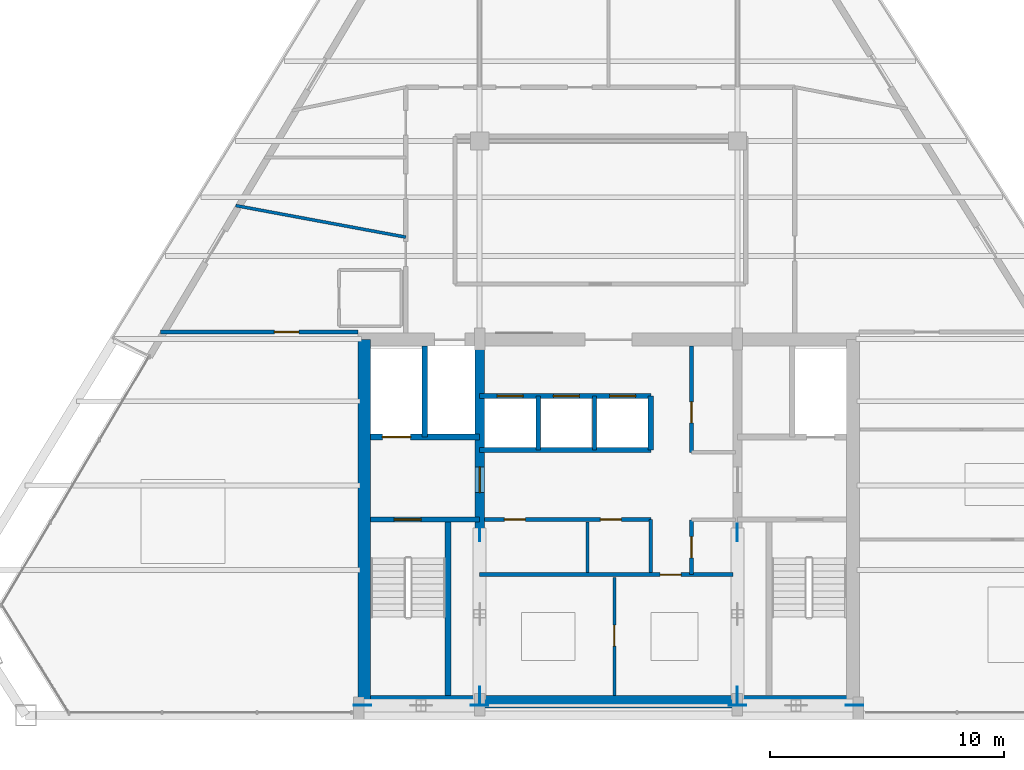
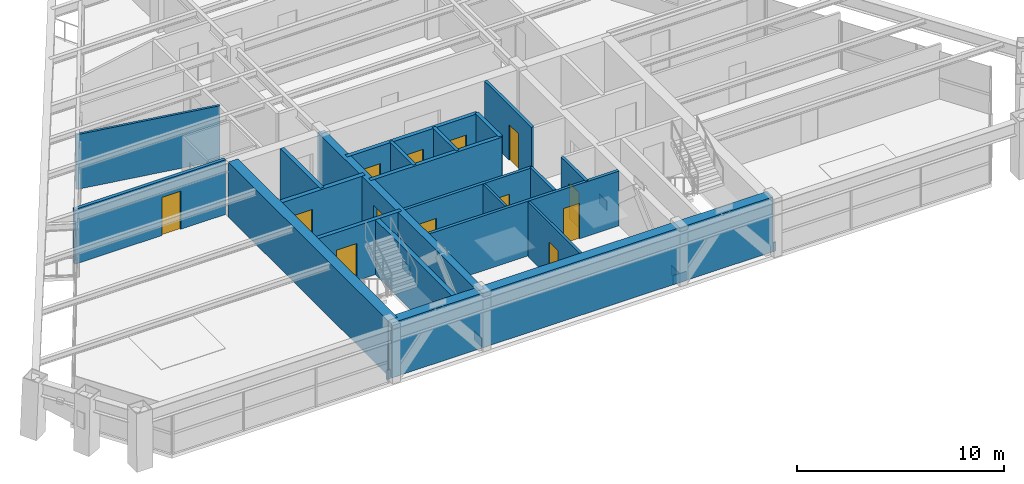
# One storey, part 8 of 12: 21 walls, 13 doors, 8 plates, 13 openings.
"""IFC4 building model written with IfcOpenShell, lengths in metres."""

import ifcopenshell
import ifcopenshell.guid

model = None  # the IFC model being written
_history = None  # IfcOwnerHistory: only IFC2X3 demands one
_inside = {}  # id of a spatial element -> (the spatial element, [elements in it])
_under = {}  # id of a project, library or spatial element -> (it, [spatial elements below it])
_declared = {}  # id of a project -> (the project, [libraries it declares])
_typed = {}  # id of a type object -> (the type object, [elements of that type])
_made_of = {}  # id of a material, layer set ... -> (it, [elements and type objects made of it])


def new_model(schema):
    """Start an empty IFC model of exactly this schema.

    Asked for "IFC4X3", IfcOpenShell would pick the latest addendum, in which some entities
    have other attributes; the version numbers below select the first issue.
    IFC2X3 requires an IfcOwnerHistory on every rooted entity: one is made here for all.
    """
    global model, _history
    if schema == "IFC4X3":
        model = ifcopenshell.file(schema_version=(4, 3, 0, 0))
    else:
        model = ifcopenshell.file(schema=schema)
    _inside.clear()
    _under.clear()
    _declared.clear()
    _typed.clear()
    _made_of.clear()
    _history = None
    if model.schema == "IFC2X3":
        org = make("IfcOrganization", Name="unknown")
        user = make(
            "IfcPersonAndOrganization",
            ThePerson=make("IfcPerson", FamilyName="unknown"),
            TheOrganization=org,
        )
        app = make(
            "IfcApplication",
            ApplicationDeveloper=org,
            Version="unknown",
            ApplicationFullName="unknown",
            ApplicationIdentifier="unknown",
        )
        _history = make(
            "IfcOwnerHistory",
            OwningUser=user,
            OwningApplication=app,
            ChangeAction="ADDED",
            CreationDate=0,
        )
    return model


def make(cls, **values):
    """One entity of the class cls with the attributes given. An attribute that is None is left unset."""
    return model.create_entity(
        cls, **{name: value for name, value in values.items() if value is not None}
    )


def rooted(cls, **values):
    """An entity with a GlobalId (a new one), such as an element, a storey or a relation."""
    return make(cls, GlobalId=ifcopenshell.guid.new(), OwnerHistory=_history, **values)


def si_unit(unit_type, name, prefix=None):
    """IfcSIUnit, for example si_unit("LENGTHUNIT", "METRE", prefix="MILLI")."""
    return make("IfcSIUnit", UnitType=unit_type, Prefix=prefix, Name=name)


def assignment(units):
    """IfcUnitAssignment: the units of a project."""
    return None if units is None else make("IfcUnitAssignment", Units=units)


def point(xyz):
    """IfcCartesianPoint."""
    return None if xyz is None else make("IfcCartesianPoint", Coordinates=xyz)


def direction(xyz):
    """IfcDirection."""
    return None if xyz is None else make("IfcDirection", DirectionRatios=xyz)


def frame(location, z_axis=None, x_axis=None):
    """IfcAxis2Placement3D, a coordinate frame: its origin and axes. An axis left out is left unset."""
    return make(
        "IfcAxis2Placement3D",
        Location=point(location),
        Axis=direction(z_axis),
        RefDirection=direction(x_axis),
    )


def frame_2d(location, x_axis=None):
    """IfcAxis2Placement2D, a coordinate frame in the plane: its origin and x axis."""
    return make(
        "IfcAxis2Placement2D", Location=point(location), RefDirection=direction(x_axis)
    )


def origin():
    """The frame at (0, 0, 0) with its axes left unset."""
    return frame((0.0, 0.0, 0.0))


def origin_2d():
    """The frame at (0, 0) in the plane with its x axis left unset."""
    return frame_2d((0.0, 0.0))


def place(relative_to, where):
    """IfcLocalPlacement: puts the frame where relative to a parent placement (None: the world)."""
    return make(
        "IfcLocalPlacement", PlacementRelTo=relative_to, RelativePlacement=where
    )


def context(
    kind, dimensions, precision=None, world=None, true_north=None, identifier=None
):
    """IfcGeometricRepresentationContext, for example the 3D "Model" context."""
    return make(
        "IfcGeometricRepresentationContext",
        ContextIdentifier=identifier,
        ContextType=kind,
        CoordinateSpaceDimension=dimensions,
        Precision=precision,
        WorldCoordinateSystem=world,
        TrueNorth=true_north,
    )


def subcontext(parent, identifier, kind, view, scale=None):
    """IfcGeometricRepresentationSubContext, for example "Body" below "Model"."""
    return make(
        "IfcGeometricRepresentationSubContext",
        ContextIdentifier=identifier,
        ContextType=kind,
        ParentContext=parent,
        TargetScale=scale,
        TargetView=view,
    )


def project(units=None, contexts=None):
    """IfcProject with its units and contexts."""
    return rooted(
        "IfcProject",
        Name="project",
        RepresentationContexts=contexts,
        UnitsInContext=assignment(units),
    )


def spatial(cls, under=None, at=None, **own):
    """A site, building, storey or space (cls), placed at a placement, below another one or the project."""
    s = rooted(cls, ObjectPlacement=at, **own)
    if under is not None:
        _under.setdefault(under.id(), (under, []))[1].append(s)
    return s


def profile(cls, at=None, kind="AREA", **sizes):
    """A parametric profile (cls). Its sizes go by their IFC names, for example OverallWidth=200.0."""
    return make(cls, ProfileType=kind, Position=at, **sizes)


def rectangle(**sizes):
    """IfcRectangleProfileDef."""
    return profile("IfcRectangleProfileDef", **sizes)


def extrude(swept, where, along, depth):
    """IfcExtrudedAreaSolid: the profile swept, set in the frame where, extruded along a direction by depth."""
    return make(
        "IfcExtrudedAreaSolid",
        SweptArea=swept,
        Position=where,
        ExtrudedDirection=direction(along),
        Depth=depth,
    )


def shape(context_of_items, identifier, shape_type, items):
    """IfcShapeRepresentation: the items that make up one representation, for example the "Body"."""
    return make(
        "IfcShapeRepresentation",
        ContextOfItems=context_of_items,
        RepresentationIdentifier=identifier,
        RepresentationType=shape_type,
        Items=items,
    )


def source(mapping_origin, context_of_items, identifier, shape_type, items):
    """IfcRepresentationMap: a shape defined once, which mapped items show again and again."""
    return make(
        "IfcRepresentationMap",
        MappingOrigin=mapping_origin,
        MappedRepresentation=shape(context_of_items, identifier, shape_type, items),
    )


def transform(
    local_origin,
    x_axis=None,
    y_axis=None,
    z_axis=None,
    scale=None,
    scale2=None,
    scale3=None,
    uniform=True,
):
    """IfcCartesianTransformationOperator3D, or its non-uniform kind. x_axis, y_axis, z_axis: its Axis1, 2, 3."""
    if uniform:
        return make(
            "IfcCartesianTransformationOperator3D",
            Axis1=direction(x_axis),
            Axis2=direction(y_axis),
            LocalOrigin=point(local_origin),
            Scale=scale,
            Axis3=direction(z_axis),
        )
    return make(
        "IfcCartesianTransformationOperator3DnonUniform",
        Axis1=direction(x_axis),
        Axis2=direction(y_axis),
        LocalOrigin=point(local_origin),
        Scale=scale,
        Axis3=direction(z_axis),
        Scale2=scale2,
        Scale3=scale3,
    )


def mapped(mapping_source, mapping_target):
    """IfcMappedItem: shows the shape of a source again, moved by a transform."""
    return make(
        "IfcMappedItem", MappingSource=mapping_source, MappingTarget=mapping_target
    )


def material(Name=None, Category=None):
    """IfcMaterial."""
    return make("IfcMaterial", Name=Name, Category=Category)


def layer(
    of_material, thickness, ventilated=None, Name=None, Category=None, Priority=None
):
    """IfcMaterialLayer: one layer of a wall or slab, of a material (None: an air gap)."""
    return make(
        "IfcMaterialLayer",
        Material=of_material,
        LayerThickness=thickness,
        IsVentilated=ventilated,
        Name=Name,
        Category=Category,
        Priority=Priority,
    )


def layer_set(layers, Name=None):
    """IfcMaterialLayerSet."""
    return make("IfcMaterialLayerSet", MaterialLayers=layers, LayerSetName=Name)


def made_of(thing, what):
    """Note that an element or type object is made of a material, layer set ...; save() writes the relation."""
    if what is not None:
        _made_of.setdefault(what.id(), (what, []))[1].append(thing)
    return thing


def type_object(cls, material=None, **own):
    """A type object (cls), such as IfcWallType, which elements share."""
    return made_of(rooted(cls, **own), material)


def type_shapes(of_type, sources):
    """Give a type object the sources (RepresentationMaps) that its elements show as mapped items."""
    of_type.RepresentationMaps = sources


def element(
    cls,
    number,
    at=None,
    inside=None,
    cuts=None,
    type_object=None,
    material=None,
    context=None,
    identifier="Body",
    shape_type=None,
    held_by="IfcProductDefinitionShape",
    body=None,
    shapes=None,
    **own,
):
    """One element of the class cls, such as IfcWall. Its Tag is "e" and its number.

    at: its placement. inside: the storey or other place that contains it. cuts: it is an
    opening in that element (IfcRelVoidsElement). A single representation is given by context,
    identifier, shape_type and body (its items); several are given by shapes. held_by: the class
    of the entity that holds the representations. save() writes the other relations.
    """
    e = rooted(cls, Tag="e%d" % number, ObjectPlacement=at, **own)
    if body is not None:
        shapes = [shape(context, identifier, shape_type, body)]
    if shapes is not None:
        e.Representation = make(held_by, Representations=shapes)
    if inside is not None:
        _inside.setdefault(inside.id(), (inside, []))[1].append(e)
    if cuts is not None:
        rooted(
            "IfcRelVoidsElement", RelatingBuildingElement=cuts, RelatedOpeningElement=e
        )
    if type_object is not None:
        _typed.setdefault(type_object.id(), (type_object, []))[1].append(e)
    return made_of(e, material)


def fill(opening, filler):
    """IfcRelFillsElement: the door or window that sits in an opening."""
    return rooted(
        "IfcRelFillsElement",
        RelatingOpeningElement=opening,
        RelatedBuildingElement=filler,
    )


def aggregate(whole, parts):
    """IfcRelAggregates: a whole, such as a stair, and the parts it consists of."""
    return rooted("IfcRelAggregates", RelatingObject=whole, RelatedObjects=parts)


def save(model, path):
    """Write the relations noted so far, then the file.

    IfcRelAggregates (storeys below a building ...), IfcRelContainedInSpatialStructure (elements
    in a storey), IfcRelDefinesByType, IfcRelAssociatesMaterial and IfcRelDeclares: one each for
    every whole, place, type object, material and project.
    """
    for whole, parts in _under.values():
        aggregate(whole, parts)
    for where, things in _inside.values():
        rooted(
            "IfcRelContainedInSpatialStructure",
            RelatedElements=things,
            RelatingStructure=where,
        )
    for kind, things in _typed.values():
        rooted("IfcRelDefinesByType", RelatedObjects=things, RelatingType=kind)
    for what, things in _made_of.values():
        rooted("IfcRelAssociatesMaterial", RelatedObjects=things, RelatingMaterial=what)
    for by, libraries in _declared.values():
        rooted("IfcRelDeclares", RelatingContext=by, RelatedDefinitions=libraries)
    model.write(path)


model = new_model("IFC4")

# Units and contexts
model_context = context("Model", 3, precision=1e-05, world=origin(), true_north=direction((0.0, 1.0)))
body_context = subcontext(model_context, "Body", "Model", "MODEL_VIEW")
ifc_project = project(units=[si_unit("LENGTHUNIT", "METRE"), si_unit("AREAUNIT", "SQUARE_METRE"), si_unit("VOLUMEUNIT", "CUBIC_METRE"), si_unit("PLANEANGLEUNIT", "RADIAN"), si_unit("MASSUNIT", "GRAM", prefix="KILO")], contexts=[model_context])

# Site, building, storey
site_placement = place(None, origin())
site = spatial("IfcSite", under=ifc_project, at=site_placement, CompositionType="ELEMENT")
building_placement = place(site_placement, origin())
building = spatial("IfcBuilding", under=site, at=building_placement, Name="Varnakhor Terracotta Tower", CompositionType="ELEMENT")
storey_placement = place(building_placement, frame((0.0, 0.0, 230.35009765625)))
storey = spatial("IfcBuildingStorey", under=building, at=storey_placement, Name="L59", CompositionType="ELEMENT", Elevation=230.35009765625)

# Plates
ifc_material_1 = material(Name="Steel S460", Category="steel")
ifc_layer_1 = layer(ifc_material_1, 0.050048828125, Name="Steel S460")
ifc_layer_set_1 = layer_set([ifc_layer_1], Name="Steel S460")
plate_type = type_object("IfcPlateType", Name="PLT-GUSSET-50", PredefinedType="USERDEFINED", material=ifc_layer_set_1)
shared_shape_1 = source(origin(), body_context, "Body", "SweptSolid", [
    extrude(rectangle(XDim=0.75, YDim=0.0400390625, at=origin_2d()), origin(), (0.0, 0.0, 1.0), 0.550048828125),
])
type_shapes(plate_type, [shared_shape_1])
for number, where, z_axis, x_axis, name in (
    (1, (-10.5, 0.419921875, -0.09521484375), (0.0, 0.0, 1.0), (1.0, 0.0, 0.0), "L59 Core Brace Embed Plate CSWA"),
    (2, (-5.5, 0.419921875, -0.09521484375), (0.0, 0.0, 1.0), (1.0, 0.0, 0.0), "L59 Core Brace Embed Plate CSWB"),
    (3, (5.5, 0.419921875, -0.09521484375), (0.0, 0.0, 1.0), (1.0, 0.0, 0.0), "L59 Core Brace Embed Plate CSEA"),
    (4, (10.5, 0.419921875, -0.09521484375), (0.0, 0.0, 1.0), (1.0, 0.0, 0.0), "L59 Core Brace Embed Plate CSEB"),
    (5, (-5.5, 0.85009765625, -0.09521484375), (0.0, 0.0, 1.0), (0.0, 1.0, 0.0), "L59 Core Brace Embed Plate CWWA"),
    (6, (-5.5, 7.800048828125, -0.09521484375), (0.0, 0.0, 1.0), (0.0, 1.0, 0.0), "L59 Core Brace Embed Plate CWWB"),
    (7, (5.5, 0.85009765625, -0.09521484375), (0.0, 0.0, 1.0), (0.0, 1.0, 0.0), "L59 Core Brace Embed Plate CWEA"),
    (8, (5.5, 7.800048828125, -0.09521484375), (0.0, 0.0, 1.0), (0.0, 1.0, 0.0), "L59 Core Brace Embed Plate CWEB"),
):
    element("IfcPlate", number, at=place(storey_placement, frame(where, z_axis=z_axis, x_axis=x_axis)), inside=storey, type_object=plate_type, Name=name, ObjectType="GUSSET PLATE", PredefinedType="USERDEFINED", context=body_context, shape_type="MappedRepresentation", body=[
        mapped(shared_shape_1, transform((0.0, 0.0, 0.0), scale=1.0)),
    ])

# Walls
ifc_material_2 = material(Name="Concrete C50/60", Category="concrete")
ifc_layer_2 = layer(ifc_material_2, 0.550048828125, Name="Concrete C50/60")
ifc_layer_set_2 = layer_set([ifc_layer_2], Name="Concrete C50/60")
wall_type_1 = type_object("IfcWallType", Name="WAL-CORE-550", PredefinedType="SHEAR", material=ifc_layer_set_2)
wall_1_placement = place(storey_placement, frame((-10.64990234375, 0.574951171875, 0.0), z_axis=(0.0, 0.0, 1.0), x_axis=(1.0, 0.0, 0.0)))
element("IfcWall", 9, at=wall_1_placement, inside=storey, type_object=wall_type_1, Name="L59 South Core Shear Wall", PredefinedType="SHEAR", context=body_context, shape_type="SweptSolid", body=[
    extrude(rectangle(XDim=21.2998046875, YDim=0.550048828125, at=frame_2d((10.64990234375, 0.0))), origin(), (0.0, 0.0, 1.0), 3.239990234375),
])
wall_2_placement = place(storey_placement, frame((-10.425048828125, 0.574951171875, 0.0), z_axis=(0.0, 0.0, 1.0), x_axis=(0.0, 1.0, 0.0)))
element("IfcWall", 10, at=wall_2_placement, inside=storey, type_object=wall_type_1, Name="L59 West Core Shear Wall", PredefinedType="SHEAR", context=body_context, shape_type="SweptSolid", body=[
    extrude(rectangle(XDim=15.449951171875, YDim=0.550048828125, at=frame_2d((7.72509765625, 0.0))), origin(), (0.0, 0.0, 1.0), 3.239990234375),
])

# Wall, opening, door
ifc_layer_3 = layer(ifc_material_2, 0.39990234375, Name="Concrete C50/60")
ifc_layer_set_3 = layer_set([ifc_layer_3], Name="Concrete C50/60")
wall_type_2 = type_object("IfcWallType", Name="WAL-CORE-WEB-400", PredefinedType="SHEAR", material=ifc_layer_set_3)
wall_3_placement = place(storey_placement, frame((-5.5, 0.574951171875, 0.0), z_axis=(0.0, 0.0, 1.0), x_axis=(0.0, 1.0, 0.0)))
wall_3 = element("IfcWall", 11, at=wall_3_placement, inside=storey, type_object=wall_type_2, Name="L59 West Core Web Shear Wall", PredefinedType="SHEAR", context=body_context, shape_type="SweptSolid", body=[
    extrude(rectangle(XDim=15.449951171875, YDim=0.39990234375, at=frame_2d((7.72509765625, 0.0))), origin(), (0.0, 0.0, 1.0), 3.239990234375),
])
opening_1_placement = place(wall_3_placement, frame((8.925048828125, 0.0, 0.0)))
opening_1 = element("IfcOpeningElement", 12, at=opening_1_placement, cuts=wall_3, Name="Opening DR-25", PredefinedType="OPENING", context=body_context, shape_type="SweptSolid", body=[
    extrude(rectangle(XDim=1.10009765625, YDim=2.199951171875, at=frame_2d((0.550048828125, 1.10009765625))), frame((0.0, 0.2099609375, 0.0), z_axis=(0.0, -1.0, 0.0), x_axis=(1.0, 0.0, 0.0)), (0.0, 0.0, 1.0), 0.419921875),
])
ifc_material_3 = material(Name="Firefighting Lobby Self-Closing Fire Door", Category="steel")
door_type_1 = type_object("IfcDoorType", Name="DR-FFL-1100X2200", OperationType="NOTDEFINED", PredefinedType="DOOR", material=ifc_material_3)
shared_shape_2 = source(origin(), body_context, "Body", "SweptSolid", [
    extrude(rectangle(XDim=1.10009765625, YDim=2.199951171875, at=frame_2d((0.550048828125, 1.10009765625))), frame((0.0, 0.02490234375, 0.0), z_axis=(0.0, -1.0, 0.0), x_axis=(1.0, 0.0, 0.0)), (0.0, 0.0, 1.0), 0.050048828125),
])
type_shapes(door_type_1, [shared_shape_2])
door_1_placement = place(opening_1_placement, origin())
door_1 = element("IfcDoor", 13, at=door_1_placement, inside=storey, type_object=door_type_1, Name="L59 West Firefighting Lobby Door", OperationType="SINGLE_SWING_LEFT", OverallHeight=2.199951171875, OverallWidth=1.10009765625, PredefinedType="DOOR", context=body_context, shape_type="MappedRepresentation", body=[
    mapped(shared_shape_2, transform((0.0, 0.0, 0.0), scale=1.0)),
])
fill(opening_1, door_1)

ifc_material_4 = material(Name="Fire-Rated Gypsum Stud Partition", Category="gypsum")
ifc_layer_4 = layer(ifc_material_4, 0.18505859375, Name="Fire-Rated Gypsum Stud Partition")
ifc_layer_set_4 = layer_set([ifc_layer_4], Name="Fire-Rated Gypsum Stud Partition")
wall_type_3 = type_object("IfcWallType", Name="WAL-CORR-185", PredefinedType="PARTITIONING", material=ifc_layer_set_4)
wall_4_placement = place(storey_placement, frame((-19.11376953125, 16.35009765625, 0.0), z_axis=(0.0, 0.0, 1.0), x_axis=(1.0, 0.0, 0.0)))
wall_4 = element("IfcWall", 14, at=wall_4_placement, inside=storey, type_object=wall_type_3, Name="L59 South West Guest Entry Wall", PredefinedType="PARTITIONING", context=body_context, shape_type="SweptSolid", body=[
    extrude(rectangle(XDim=8.433837890625, YDim=0.18505859375, at=frame_2d((4.216796875, 0.0))), origin(), (0.0, 0.0, 1.0), 3.23193359375),
])
opening_2_placement = place(wall_4_placement, frame((4.85498046875, 0.0, 0.0)))
opening_2 = element("IfcOpeningElement", 15, at=opening_2_placement, cuts=wall_4, Name="Opening DR-95", PredefinedType="OPENING", context=body_context, shape_type="SweptSolid", body=[
    extrude(rectangle(XDim=1.050048828125, YDim=2.25, at=frame_2d((0.52490234375, 1.125))), frame((0.0, 0.1025390625, 0.0), z_axis=(0.0, -1.0, 0.0), x_axis=(1.0, 0.0, 0.0)), (0.0, 0.0, 1.0), 0.205078125),
])
ifc_material_5 = material(Name="Solid-Core Timber Tenant/Hotel Entrance Door", Category="wood")
door_type_2 = type_object("IfcDoorType", Name="DR-SUITE-1050X2250", OperationType="NOTDEFINED", PredefinedType="DOOR", material=ifc_material_5)
shared_shape_3 = source(origin(), body_context, "Body", "SweptSolid", [
    extrude(rectangle(XDim=1.050048828125, YDim=2.25, at=frame_2d((0.52490234375, 1.125))), frame((0.0, 0.02490234375, 0.0), z_axis=(0.0, -1.0, 0.0), x_axis=(1.0, 0.0, 0.0)), (0.0, 0.0, 1.0), 0.050048828125),
])
type_shapes(door_type_2, [shared_shape_3])
door_2_placement = place(opening_2_placement, origin())
door_2 = element("IfcDoor", 16, at=door_2_placement, inside=storey, type_object=door_type_2, Name="L59 SW Suite Entry Door", OperationType="SINGLE_SWING_LEFT", OverallHeight=2.25, OverallWidth=1.050048828125, PredefinedType="DOOR", context=body_context, shape_type="MappedRepresentation", body=[
    mapped(shared_shape_3, transform((0.0, 0.0, 0.0), scale=1.0)),
])
fill(opening_2, door_2)

ifc_material_6 = material(Name="Concrete C40/50", Category="concrete")
ifc_layer_5 = layer(ifc_material_6, 0.219970703125, Name="Concrete C40/50")
ifc_layer_set_5 = layer_set([ifc_layer_5], Name="Concrete C40/50")
wall_type_4 = type_object("IfcWallType", Name="WAL-FFLOBBY-220", PredefinedType="SOLIDWALL", material=ifc_layer_set_5)
wall_5_placement = place(storey_placement, frame((-5.5, 8.35009765625, 0.0), z_axis=(0.0, 0.0, 1.0), x_axis=(-1.0, 0.0, 0.0)))
wall_5 = element("IfcWall", 17, at=wall_5_placement, inside=storey, type_object=wall_type_4, Name="L59 West Firefighting Lobby Stair Wall", PredefinedType="SOLIDWALL", context=body_context, shape_type="SweptSolid", body=[
    extrude(rectangle(XDim=4.64990234375, YDim=0.219970703125, at=frame_2d((2.324951171875, 0.0))), origin(), (0.0, 0.0, 1.0), 3.239990234375),
])
opening_3_placement = place(wall_5_placement, frame((2.5, 0.0, 0.0)))
opening_3 = element("IfcOpeningElement", 18, at=opening_3_placement, cuts=wall_5, Name="Opening DR-34", PredefinedType="OPENING", context=body_context, shape_type="SweptSolid", body=[
    extrude(rectangle(XDim=1.14990234375, YDim=2.199951171875, at=frame_2d((0.574951171875, 1.10009765625))), frame((0.0, 0.1201171875, 0.0), z_axis=(0.0, -1.0, 0.0), x_axis=(1.0, 0.0, 0.0)), (0.0, 0.0, 1.0), 0.239990234375),
])
ifc_material_7 = material(Name="Self-Closing Smoke-Sealed Steel Fire Door", Category="steel")
door_type_3 = type_object("IfcDoorType", Name="DR-STAIR-1150X2200", OperationType="NOTDEFINED", PredefinedType="DOOR", material=ifc_material_7)
shared_shape_4 = source(origin(), body_context, "Body", "SweptSolid", [
    extrude(rectangle(XDim=1.14990234375, YDim=2.199951171875, at=frame_2d((0.574951171875, 1.10009765625))), frame((0.0, 0.02490234375, 0.0), z_axis=(0.0, -1.0, 0.0), x_axis=(1.0, 0.0, 0.0)), (0.0, 0.0, 1.0), 0.050048828125),
])
type_shapes(door_type_3, [shared_shape_4])
door_3_placement = place(opening_3_placement, origin())
door_3 = element("IfcDoor", 19, at=door_3_placement, inside=storey, type_object=door_type_3, Name="L59 Exit Stair ST-1 Fire Door", OperationType="SINGLE_SWING_RIGHT", OverallHeight=2.199951171875, OverallWidth=1.14990234375, PredefinedType="DOOR", context=body_context, shape_type="MappedRepresentation", body=[
    mapped(shared_shape_4, transform((0.0, 0.0, 0.0), scale=1.0)),
])
fill(opening_3, door_3)

# Walls
ifc_material_8 = material(Name="Acoustic Hotel Room Partition", Category="gypsum")
ifc_layer_6 = layer(ifc_material_8, 0.1298828125, Name="Acoustic Hotel Room Partition")
ifc_layer_set_6 = layer_set([ifc_layer_6], Name="Acoustic Hotel Room Partition")
wall_type_5 = type_object("IfcWallType", Name="WAL-PART-130", PredefinedType="PARTITIONING", material=ifc_layer_set_6)
wall_6_placement = place(storey_placement, frame((-15.906982421875, 21.74658203125, 0.0), z_axis=(0.0, 0.0, 1.0), x_axis=(0.98321459924, -0.182452875674, 0.0)))
element("IfcWall", 20, at=wall_6_placement, inside=storey, type_object=wall_type_5, Name="L59 West Key Cut 1", PredefinedType="PARTITIONING", context=body_context, shape_type="SweptSolid", body=[
    extrude(rectangle(XDim=7.380859375, YDim=0.1298828125, at=frame_2d((3.6904296875, 0.0))), origin(), (0.0, 0.0, 1.0), 3.23193359375),
])
ifc_layer_7 = layer(ifc_material_6, 0.179931640625, Name="Concrete C40/50")
ifc_layer_set_7 = layer_set([ifc_layer_7], Name="Concrete C40/50")
wall_type_6 = type_object("IfcWallType", Name="WAL-SHAFT-180", PredefinedType="SOLIDWALL", material=ifc_layer_set_7)
for number, where, z_axis, x_axis, name in (
    (21, (-3.0, 11.320068359375, 0.0), (0.0, 0.0, 1.0), (0.0, 1.0, 0.0), "L59 PL-3A Divider"),
    (22, (-0.60009765625, 11.320068359375, 0.0), (0.0, 0.0, 1.0), (0.0, 1.0, 0.0), "L59 PL-3B Divider"),
):
    element("IfcWall", number, at=place(storey_placement, frame(where, z_axis=z_axis, x_axis=x_axis)), inside=storey, type_object=wall_type_6, Name=name, PredefinedType="SOLIDWALL", context=body_context, shape_type="SweptSolid", body=[
        extrude(rectangle(XDim=2.300048828125, YDim=0.179931640625, at=frame_2d((1.14990234375, 0.0))), origin(), (0.0, 0.0, 1.0), 3.239990234375),
    ])
ifc_layer_8 = layer(ifc_material_6, 0.219970703125, Name="Concrete C40/50")
ifc_layer_set_8 = layer_set([ifc_layer_8], Name="Concrete C40/50")
wall_type_7 = type_object("IfcWallType", Name="WAL-SHAFT-220", PredefinedType="SOLIDWALL", material=ifc_layer_set_8)
wall_7_placement = place(storey_placement, frame((-7.840087890625, 11.8701171875, 0.0), z_axis=(0.0, 0.0, 1.0), x_axis=(0.0, 1.0, 0.0)))
element("IfcWall", 23, at=wall_7_placement, inside=storey, type_object=wall_type_7, Name="L59 Lift FFL-1 and SVL-1 Divider Wall", PredefinedType="SOLIDWALL", context=body_context, shape_type="SweptSolid", body=[
    extrude(rectangle(XDim=3.8798828125, YDim=0.219970703125, at=frame_2d((1.93994140625, 0.0))), origin(), (0.0, 0.0, 1.0), 3.239990234375),
])
wall_8_placement = place(storey_placement, frame((-5.5, 11.320068359375, 0.0), z_axis=(0.0, 0.0, 1.0), x_axis=(1.0, 0.0, 0.0)))
element("IfcWall", 24, at=wall_8_placement, inside=storey, type_object=wall_type_7, Name="L59 Bank 3 South Shaft Wall", PredefinedType="SOLIDWALL", context=body_context, shape_type="SweptSolid", body=[
    extrude(rectangle(XDim=7.320068359375, YDim=0.219970703125, at=frame_2d((3.66015625, 0.0))), origin(), (0.0, 0.0, 1.0), 3.239990234375),
])

# Wall, openings, doors
wall_9_placement = place(storey_placement, frame((-5.5, 13.6201171875, 0.0), z_axis=(0.0, 0.0, 1.0), x_axis=(1.0, 0.0, 0.0)))
wall_9 = element("IfcWall", 25, at=wall_9_placement, inside=storey, type_object=wall_type_7, Name="L59 Bank 3 North Shaft Wall", PredefinedType="SOLIDWALL", context=body_context, shape_type="SweptSolid", body=[
    extrude(rectangle(XDim=7.320068359375, YDim=0.219970703125, at=frame_2d((3.66015625, 0.0))), origin(), (0.0, 0.0, 1.0), 3.239990234375),
])
opening_4_placement = place(wall_9_placement, frame((0.75, 0.0, 0.0)))
opening_4 = element("IfcOpeningElement", 26, at=opening_4_placement, cuts=wall_9, Name="Opening LD-01", PredefinedType="OPENING", context=body_context, shape_type="SweptSolid", body=[
    extrude(rectangle(XDim=1.10009765625, YDim=2.199951171875, at=frame_2d((0.550048828125, 1.10009765625))), frame((0.0, 0.1201171875, 0.0), z_axis=(0.0, -1.0, 0.0), x_axis=(1.0, 0.0, 0.0)), (0.0, 0.0, 1.0), 0.239990234375),
])
opening_5_placement = place(wall_9_placement, frame((3.14990234375, 0.0, 0.0)))
opening_5 = element("IfcOpeningElement", 27, at=opening_5_placement, cuts=wall_9, Name="Opening LD-01", PredefinedType="OPENING", context=body_context, shape_type="SweptSolid", body=[
    extrude(rectangle(XDim=1.10009765625, YDim=2.199951171875, at=frame_2d((0.550048828125, 1.10009765625))), frame((0.0, 0.1201171875, 0.0), z_axis=(0.0, -1.0, 0.0), x_axis=(1.0, 0.0, 0.0)), (0.0, 0.0, 1.0), 0.239990234375),
])
opening_6_placement = place(wall_9_placement, frame((5.550048828125, 0.0, 0.0)))
opening_6 = element("IfcOpeningElement", 28, at=opening_6_placement, cuts=wall_9, Name="Opening LD-01", PredefinedType="OPENING", context=body_context, shape_type="SweptSolid", body=[
    extrude(rectangle(XDim=1.10009765625, YDim=2.199951171875, at=frame_2d((0.550048828125, 1.10009765625))), frame((0.0, 0.1201171875, 0.0), z_axis=(0.0, -1.0, 0.0), x_axis=(1.0, 0.0, 0.0)), (0.0, 0.0, 1.0), 0.239990234375),
])
ifc_material_9 = material(Name="Brushed Stainless Steel Sliding Lift Landing Door", Category="steel")
door_type_4 = type_object("IfcDoorType", Name="LD-PASS-1100X2200", OperationType="NOTDEFINED", PredefinedType="DOOR", material=ifc_material_9)
shared_shape_5 = source(origin(), body_context, "Body", "SweptSolid", [
    extrude(rectangle(XDim=1.10009765625, YDim=2.199951171875, at=frame_2d((0.550048828125, 1.10009765625))), frame((0.0, 0.02490234375, 0.0), z_axis=(0.0, -1.0, 0.0), x_axis=(1.0, 0.0, 0.0)), (0.0, 0.0, 1.0), 0.050048828125),
])
type_shapes(door_type_4, [shared_shape_5])
door_4_placement = place(opening_4_placement, origin())
door_4 = element("IfcDoor", 29, at=door_4_placement, inside=storey, type_object=door_type_4, Name="L59 Passenger Lift PL-3A Landing Door", OperationType="SLIDING_TO_RIGHT", OverallHeight=2.199951171875, OverallWidth=1.10009765625, PredefinedType="DOOR", context=body_context, shape_type="MappedRepresentation", body=[
    mapped(shared_shape_5, transform((0.0, 0.0, 0.0), scale=1.0)),
])
fill(opening_4, door_4)
door_5_placement = place(opening_5_placement, origin())
door_5 = element("IfcDoor", 30, at=door_5_placement, inside=storey, type_object=door_type_4, Name="L59 Passenger Lift PL-3B Landing Door", OperationType="SLIDING_TO_RIGHT", OverallHeight=2.199951171875, OverallWidth=1.10009765625, PredefinedType="DOOR", context=body_context, shape_type="MappedRepresentation", body=[
    mapped(shared_shape_5, transform((0.0, 0.0, 0.0), scale=1.0)),
])
fill(opening_5, door_5)
door_6_placement = place(opening_6_placement, origin())
door_6 = element("IfcDoor", 31, at=door_6_placement, inside=storey, type_object=door_type_4, Name="L59 Passenger Lift PL-3C Landing Door", OperationType="SLIDING_TO_RIGHT", OverallHeight=2.199951171875, OverallWidth=1.10009765625, PredefinedType="DOOR", context=body_context, shape_type="MappedRepresentation", body=[
    mapped(shared_shape_5, transform((0.0, 0.0, 0.0), scale=1.0)),
])
fill(opening_6, door_6)

# Walls
wall_10_placement = place(storey_placement, frame((1.800048828125, 11.320068359375, 0.0), z_axis=(0.0, 0.0, 1.0), x_axis=(0.0, 1.0, 0.0)))
element("IfcWall", 32, at=wall_10_placement, inside=storey, type_object=wall_type_7, Name="L59 Bank 3 East Shaft Wall", PredefinedType="SOLIDWALL", context=body_context, shape_type="SweptSolid", body=[
    extrude(rectangle(XDim=2.300048828125, YDim=0.219970703125, at=frame_2d((1.14990234375, 0.0))), origin(), (0.0, 0.0, 1.0), 3.239990234375),
])
ifc_layer_9 = layer(ifc_material_6, 0.25, Name="Concrete C40/50")
ifc_layer_set_9 = layer_set([ifc_layer_9], Name="Concrete C40/50")
wall_type_8 = type_object("IfcWallType", Name="WAL-SHAFT-250", PredefinedType="SOLIDWALL", material=ifc_layer_set_9)
wall_11_placement = place(storey_placement, frame((-6.85009765625, 0.85009765625, 0.0), z_axis=(0.0, 0.0, 1.0), x_axis=(0.0, 1.0, 0.0)))
element("IfcWall", 33, at=wall_11_placement, inside=storey, type_object=wall_type_8, Name="L59 Stair ST-1 Bearing Shaft Wall", PredefinedType="SOLIDWALL", context=body_context, shape_type="SweptSolid", body=[
    extrude(rectangle(XDim=7.5, YDim=0.25, at=frame_2d((3.75, 0.0))), origin(), (0.0, 0.0, 1.0), 3.239990234375),
])

# Wall, opening, door
wall_12_placement = place(storey_placement, frame((-5.5, 11.8701171875, 0.0), z_axis=(0.0, 0.0, 1.0), x_axis=(-1.0, 0.0, 0.0)))
wall_12 = element("IfcWall", 34, at=wall_12_placement, inside=storey, type_object=wall_type_8, Name="L59 Lift FFL-1 Shaft Front Wall", PredefinedType="SOLIDWALL", context=body_context, shape_type="SweptSolid", body=[
    extrude(rectangle(XDim=4.64990234375, YDim=0.25, at=frame_2d((2.324951171875, 0.0))), origin(), (0.0, 0.0, 1.0), 3.239990234375),
])
opening_7_placement = place(wall_12_placement, frame((2.949951171875, 0.0, 0.0)))
opening_7 = element("IfcOpeningElement", 35, at=opening_7_placement, cuts=wall_12, Name="Opening LD-02", PredefinedType="OPENING", context=body_context, shape_type="SweptSolid", body=[
    extrude(rectangle(XDim=1.199951171875, YDim=2.25, at=frame_2d((0.60009765625, 1.125))), frame((0.0, 0.135009765625, 0.0), z_axis=(0.0, -1.0, 0.0), x_axis=(1.0, 0.0, 0.0)), (0.0, 0.0, 1.0), 0.27001953125),
])
ifc_material_10 = material(Name="Firefighting Stretcher Sliding Lift Landing Door", Category="steel")
door_type_5 = type_object("IfcDoorType", Name="LD-FFL-1200X2250", OperationType="NOTDEFINED", PredefinedType="DOOR", material=ifc_material_10)
shared_shape_6 = source(origin(), body_context, "Body", "SweptSolid", [
    extrude(rectangle(XDim=1.199951171875, YDim=2.25, at=frame_2d((0.60009765625, 1.125))), frame((0.0, 0.02490234375, 0.0), z_axis=(0.0, -1.0, 0.0), x_axis=(1.0, 0.0, 0.0)), (0.0, 0.0, 1.0), 0.050048828125),
])
type_shapes(door_type_5, [shared_shape_6])
door_7_placement = place(opening_7_placement, origin())
door_7 = element("IfcDoor", 36, at=door_7_placement, inside=storey, type_object=door_type_5, Name="L59 Firefighting Lift FFL-1 Landing Door", OperationType="SLIDING_TO_LEFT", OverallHeight=2.25, OverallWidth=1.199951171875, PredefinedType="DOOR", context=body_context, shape_type="MappedRepresentation", body=[
    mapped(shared_shape_6, transform((0.0, 0.0, 0.0), scale=1.0)),
])
fill(opening_7, door_7)

# Wall
ifc_material_11 = material(Name="Acoustic Fire-Rated Partition", Category="gypsum")
ifc_layer_10 = layer(ifc_material_11, 0.114990234375, Name="Acoustic Fire-Rated Partition")
ifc_layer_set_10 = layer_set([ifc_layer_10], Name="Acoustic Fire-Rated Partition")
wall_type_9 = type_object("IfcWallType", Name="WAL-TENANCY-115", PredefinedType="PARTITIONING", material=ifc_layer_set_10)
wall_13_placement = place(storey_placement, frame((-0.89990234375, 6.10009765625, 0.0), z_axis=(0.0, 0.0, 1.0), x_axis=(0.0, 1.0, 0.0)))
element("IfcWall", 37, at=wall_13_placement, inside=storey, type_object=wall_type_9, Name="L59 Reclaimed Mid-Core Split Wall", PredefinedType="PARTITIONING", context=body_context, shape_type="SweptSolid", body=[
    extrude(rectangle(XDim=2.14990234375, YDim=0.114990234375, at=frame_2d((1.074951171875, 0.0))), origin(), (0.0, 0.0, 1.0), 3.23193359375),
])

# Wall, opening, door
ifc_layer_11 = layer(ifc_material_11, 0.139892578125, Name="Acoustic Fire-Rated Partition")
ifc_layer_set_11 = layer_set([ifc_layer_11], Name="Acoustic Fire-Rated Partition")
wall_type_10 = type_object("IfcWallType", Name="WAL-TENANCY-140", PredefinedType="PARTITIONING", material=ifc_layer_set_11)
wall_14_placement = place(storey_placement, frame((0.25, 0.85009765625, 0.0), z_axis=(0.0, 0.0, 1.0), x_axis=(0.0, 1.0, 0.0)))
wall_14 = element("IfcWall", 38, at=wall_14_placement, inside=storey, type_object=wall_type_10, Name="L59 Reclaimed Core Bay Split Wall", PredefinedType="PARTITIONING", context=body_context, shape_type="SweptSolid", body=[
    extrude(rectangle(XDim=5.02978515625, YDim=0.139892578125, at=frame_2d((2.514892578125, 0.0))), origin(), (0.0, 0.0, 1.0), 3.23193359375),
])
opening_8_placement = place(wall_14_placement, frame((2.10009765625, 0.0, 0.0)))
opening_8 = element("IfcOpeningElement", 39, at=opening_8_placement, cuts=wall_14, Name="Opening DR-67", PredefinedType="OPENING", context=body_context, shape_type="SweptSolid", body=[
    extrude(rectangle(XDim=0.89990234375, YDim=2.10009765625, at=frame_2d((0.449951171875, 1.050048828125))), frame((0.0, 0.080078125, 0.0), z_axis=(0.0, -1.0, 0.0), x_axis=(1.0, 0.0, 0.0)), (0.0, 0.0, 1.0), 0.159912109375),
])
ifc_material_12 = material(Name="Steel Service Riser Fire Door", Category="steel")
door_type_6 = type_object("IfcDoorType", Name="DR-RISER-900X2100", OperationType="NOTDEFINED", PredefinedType="DOOR", material=ifc_material_12)
shared_shape_7 = source(origin(), body_context, "Body", "SweptSolid", [
    extrude(rectangle(XDim=0.89990234375, YDim=2.10009765625, at=frame_2d((0.449951171875, 1.050048828125))), frame((0.0, 0.02490234375, 0.0), z_axis=(0.0, -1.0, 0.0), x_axis=(1.0, 0.0, 0.0)), (0.0, 0.0, 1.0), 0.050048828125),
])
type_shapes(door_type_6, [shared_shape_7])
door_8_placement = place(opening_8_placement, origin())
door_8 = element("IfcDoor", 40, at=door_8_placement, inside=storey, type_object=door_type_6, Name="L59 Core Inner Service Door", OperationType="SINGLE_SWING_LEFT", OverallHeight=2.10009765625, OverallWidth=0.89990234375, PredefinedType="DOOR", context=body_context, shape_type="MappedRepresentation", body=[
    mapped(shared_shape_7, transform((0.0, 0.0, 0.0), scale=1.0)),
])
fill(opening_8, door_8)

ifc_layer_12 = layer(ifc_material_11, 0.1650390625, Name="Acoustic Fire-Rated Partition")
ifc_layer_set_12 = layer_set([ifc_layer_12], Name="Acoustic Fire-Rated Partition")
wall_type_11 = type_object("IfcWallType", Name="WAL-TENANCY-165", PredefinedType="PARTITIONING", material=ifc_layer_set_12)
wall_15_placement = place(storey_placement, frame((-5.5, 6.0, 0.0), z_axis=(0.0, 0.0, 1.0), x_axis=(1.0, 0.0, 0.0)))
wall_15 = element("IfcWall", 41, at=wall_15_placement, inside=storey, type_object=wall_type_11, Name="L59 Reclaimed Core Bay North Rated Wall", PredefinedType="PARTITIONING", context=body_context, shape_type="SweptSolid", body=[
    extrude(rectangle(XDim=10.800048828125, YDim=0.1650390625, at=frame_2d((5.39990234375, 0.0))), origin(), (0.0, 0.0, 1.0), 3.23193359375),
])
opening_9_placement = place(wall_15_placement, frame((7.699951171875, 0.0, 0.0)))
opening_9 = element("IfcOpeningElement", 42, at=opening_9_placement, cuts=wall_15, Name="Opening DR-67", PredefinedType="OPENING", context=body_context, shape_type="SweptSolid", body=[
    extrude(rectangle(XDim=0.89990234375, YDim=2.10009765625, at=frame_2d((0.449951171875, 1.050048828125))), frame((0.0, 0.092529296875, 0.0), z_axis=(0.0, -1.0, 0.0), x_axis=(1.0, 0.0, 0.0)), (0.0, 0.0, 1.0), 0.18505859375),
])
door_9_placement = place(opening_9_placement, origin())
door_9 = element("IfcDoor", 43, at=door_9_placement, inside=storey, type_object=door_type_6, Name="L59 Core Reclaimed Suite Door", OperationType="SINGLE_SWING_RIGHT", OverallHeight=2.10009765625, OverallWidth=0.89990234375, PredefinedType="DOOR", context=body_context, shape_type="MappedRepresentation", body=[
    mapped(shared_shape_7, transform((0.0, 0.0, 0.0), scale=1.0)),
])
fill(opening_9, door_9)

wall_16_placement = place(storey_placement, frame((3.5400390625, 6.0, 0.0), z_axis=(0.0, 0.0, 1.0), x_axis=(0.0, 1.0, 0.0)))
wall_16 = element("IfcWall", 44, at=wall_16_placement, inside=storey, type_object=wall_type_11, Name="L59 Accessible WC Rated Wall", PredefinedType="PARTITIONING", context=body_context, shape_type="SweptSolid", body=[
    extrude(rectangle(XDim=2.340087890625, YDim=0.1650390625, at=frame_2d((1.169921875, 0.0))), origin(), (0.0, 0.0, 1.0), 3.23193359375),
])
opening_10_placement = place(wall_16_placement, frame((0.719970703125, 0.0, 0.0)))
opening_10 = element("IfcOpeningElement", 45, at=opening_10_placement, cuts=wall_16, Name="Opening DR-67", PredefinedType="OPENING", context=body_context, shape_type="SweptSolid", body=[
    extrude(rectangle(XDim=0.89990234375, YDim=2.10009765625, at=frame_2d((0.449951171875, 1.050048828125))), frame((0.0, 0.092529296875, 0.0), z_axis=(0.0, -1.0, 0.0), x_axis=(1.0, 0.0, 0.0)), (0.0, 0.0, 1.0), 0.18505859375),
])
door_10_placement = place(opening_10_placement, origin())
door_10 = element("IfcDoor", 46, at=door_10_placement, inside=storey, type_object=door_type_6, Name="L59 Accessible WC Door", OperationType="SINGLE_SWING_RIGHT", OverallHeight=2.10009765625, OverallWidth=0.89990234375, PredefinedType="DOOR", context=body_context, shape_type="MappedRepresentation", body=[
    mapped(shared_shape_7, transform((0.0, 0.0, 0.0), scale=1.0)),
])
fill(opening_10, door_10)

# Wall, openings, doors
wall_17_placement = place(storey_placement, frame((-5.300048828125, 8.35009765625, 0.0), z_axis=(0.0, 0.0, 1.0), x_axis=(1.0, 0.0, 0.0)))
wall_17 = element("IfcWall", 47, at=wall_17_placement, inside=storey, type_object=wall_type_11, Name="L59 Reclaimed Mid-Core North Wall", PredefinedType="PARTITIONING", context=body_context, shape_type="SweptSolid", body=[
    extrude(rectangle(XDim=7.1201171875, YDim=0.1650390625, at=frame_2d((3.56005859375, 0.0))), origin(), (0.0, 0.0, 1.0), 3.23193359375),
])
opening_11_placement = place(wall_17_placement, frame((0.85009765625, 0.0, 0.0)))
opening_11 = element("IfcOpeningElement", 48, at=opening_11_placement, cuts=wall_17, Name="Opening DR-67", PredefinedType="OPENING", context=body_context, shape_type="SweptSolid", body=[
    extrude(rectangle(XDim=0.89990234375, YDim=2.10009765625, at=frame_2d((0.449951171875, 1.050048828125))), frame((0.0, 0.092529296875, 0.0), z_axis=(0.0, -1.0, 0.0), x_axis=(1.0, 0.0, 0.0)), (0.0, 0.0, 1.0), 0.18505859375),
])
opening_12_placement = place(wall_17_placement, frame((4.949951171875, 0.0, 0.0)))
opening_12 = element("IfcOpeningElement", 49, at=opening_12_placement, cuts=wall_17, Name="Opening DR-67", PredefinedType="OPENING", context=body_context, shape_type="SweptSolid", body=[
    extrude(rectangle(XDim=0.89990234375, YDim=2.10009765625, at=frame_2d((0.449951171875, 1.050048828125))), frame((0.0, 0.092529296875, 0.0), z_axis=(0.0, -1.0, 0.0), x_axis=(1.0, 0.0, 0.0)), (0.0, 0.0, 1.0), 0.18505859375),
])
door_11_placement = place(opening_11_placement, origin())
door_11 = element("IfcDoor", 50, at=door_11_placement, inside=storey, type_object=door_type_6, Name="L59 Core West Restroom Door", OperationType="SINGLE_SWING_LEFT", OverallHeight=2.10009765625, OverallWidth=0.89990234375, PredefinedType="DOOR", context=body_context, shape_type="MappedRepresentation", body=[
    mapped(shared_shape_7, transform((0.0, 0.0, 0.0), scale=1.0)),
])
fill(opening_11, door_11)
door_12_placement = place(opening_12_placement, origin())
door_12 = element("IfcDoor", 51, at=door_12_placement, inside=storey, type_object=door_type_6, Name="L59 Core East Restroom Door", OperationType="SINGLE_SWING_RIGHT", OverallHeight=2.10009765625, OverallWidth=0.89990234375, PredefinedType="DOOR", context=body_context, shape_type="MappedRepresentation", body=[
    mapped(shared_shape_7, transform((0.0, 0.0, 0.0), scale=1.0)),
])
fill(opening_12, door_12)

# Wall
wall_18_placement = place(storey_placement, frame((1.800048828125, 6.10009765625, 0.0), z_axis=(0.0, 0.0, 1.0), x_axis=(0.0, 1.0, 0.0)))
element("IfcWall", 52, at=wall_18_placement, inside=storey, type_object=wall_type_11, Name="L59 Reclaimed Mid-Core East Wall", PredefinedType="PARTITIONING", context=body_context, shape_type="SweptSolid", body=[
    extrude(rectangle(XDim=2.25, YDim=0.1650390625, at=frame_2d((1.125, 0.0))), origin(), (0.0, 0.0, 1.0), 3.23193359375),
])

# Wall, opening, door
wall_19_placement = place(storey_placement, frame((3.5400390625, 11.219970703125, 0.0), z_axis=(0.0, 0.0, 1.0), x_axis=(0.0, 1.0, 0.0)))
wall_19 = element("IfcWall", 53, at=wall_19_placement, inside=storey, type_object=wall_type_11, Name="L59 Restroom Corridor Wall", PredefinedType="PARTITIONING", context=body_context, shape_type="SweptSolid", body=[
    extrude(rectangle(XDim=4.530029296875, YDim=0.1650390625, at=frame_2d((2.26513671875, 0.0))), origin(), (0.0, 0.0, 1.0), 3.23193359375),
])
opening_13_placement = place(wall_19_placement, frame((1.25, 0.0, 0.0)))
opening_13 = element("IfcOpeningElement", 54, at=opening_13_placement, cuts=wall_19, Name="Opening DR-67", PredefinedType="OPENING", context=body_context, shape_type="SweptSolid", body=[
    extrude(rectangle(XDim=0.89990234375, YDim=2.10009765625, at=frame_2d((0.449951171875, 1.050048828125))), frame((0.0, 0.092529296875, 0.0), z_axis=(0.0, -1.0, 0.0), x_axis=(1.0, 0.0, 0.0)), (0.0, 0.0, 1.0), 0.18505859375),
])
door_13_placement = place(opening_13_placement, origin())
door_13 = element("IfcDoor", 55, at=door_13_placement, inside=storey, type_object=door_type_6, Name="L59 Female WC Door", OperationType="SINGLE_SWING_LEFT", OverallHeight=2.10009765625, OverallWidth=0.89990234375, PredefinedType="DOOR", context=body_context, shape_type="MappedRepresentation", body=[
    mapped(shared_shape_7, transform((0.0, 0.0, 0.0), scale=1.0)),
])
fill(opening_13, door_13)

save(model, "model.ifc")
